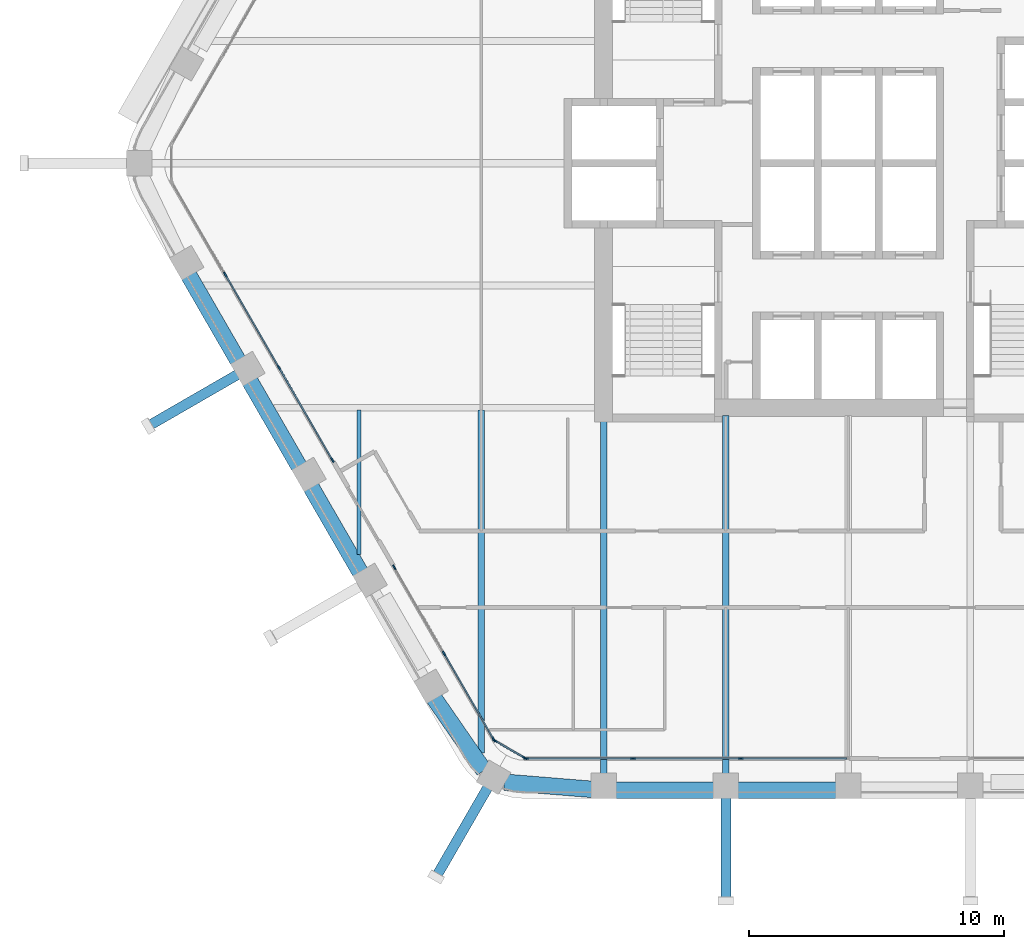
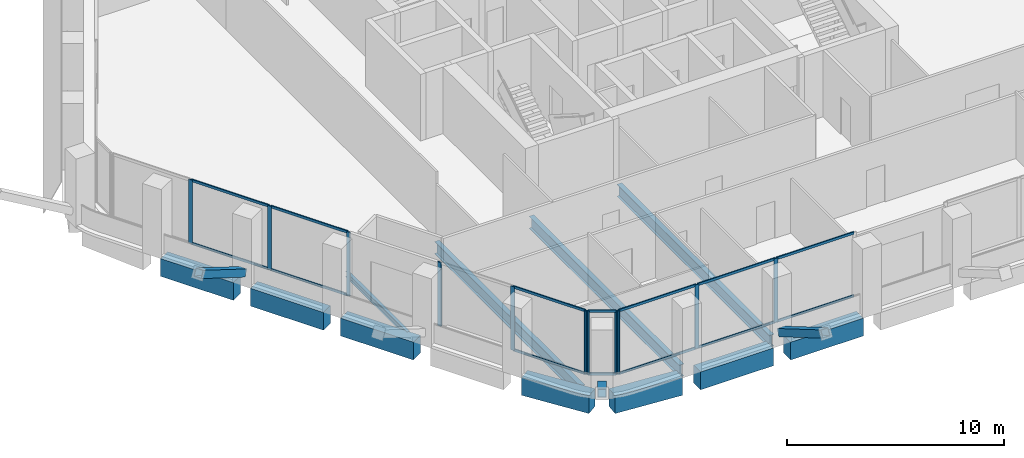
# One storey, part 2 of 16: 28 members, 11 beams, 4 elements without a shape of their own.
"""IFC4 building model written with IfcOpenShell, lengths in metres."""

import ifcopenshell
import ifcopenshell.guid

model = None  # the IFC model being written
_history = None  # IfcOwnerHistory: only IFC2X3 demands one
_inside = {}  # id of a spatial element -> (the spatial element, [elements in it])
_under = {}  # id of a project, library or spatial element -> (it, [spatial elements below it])
_declared = {}  # id of a project -> (the project, [libraries it declares])
_typed = {}  # id of a type object -> (the type object, [elements of that type])
_made_of = {}  # id of a material, layer set ... -> (it, [elements and type objects made of it])


def new_model(schema):
    """Start an empty IFC model of exactly this schema.

    Asked for "IFC4X3", IfcOpenShell would pick the latest addendum, in which some entities
    have other attributes; the version numbers below select the first issue.
    IFC2X3 requires an IfcOwnerHistory on every rooted entity: one is made here for all.
    """
    global model, _history
    if schema == "IFC4X3":
        model = ifcopenshell.file(schema_version=(4, 3, 0, 0))
    else:
        model = ifcopenshell.file(schema=schema)
    _inside.clear()
    _under.clear()
    _declared.clear()
    _typed.clear()
    _made_of.clear()
    _history = None
    if model.schema == "IFC2X3":
        org = make("IfcOrganization", Name="unknown")
        user = make(
            "IfcPersonAndOrganization",
            ThePerson=make("IfcPerson", FamilyName="unknown"),
            TheOrganization=org,
        )
        app = make(
            "IfcApplication",
            ApplicationDeveloper=org,
            Version="unknown",
            ApplicationFullName="unknown",
            ApplicationIdentifier="unknown",
        )
        _history = make(
            "IfcOwnerHistory",
            OwningUser=user,
            OwningApplication=app,
            ChangeAction="ADDED",
            CreationDate=0,
        )
    return model


def make(cls, **values):
    """One entity of the class cls with the attributes given. An attribute that is None is left unset."""
    return model.create_entity(
        cls, **{name: value for name, value in values.items() if value is not None}
    )


def rooted(cls, **values):
    """An entity with a GlobalId (a new one), such as an element, a storey or a relation."""
    return make(cls, GlobalId=ifcopenshell.guid.new(), OwnerHistory=_history, **values)


def si_unit(unit_type, name, prefix=None):
    """IfcSIUnit, for example si_unit("LENGTHUNIT", "METRE", prefix="MILLI")."""
    return make("IfcSIUnit", UnitType=unit_type, Prefix=prefix, Name=name)


def assignment(units):
    """IfcUnitAssignment: the units of a project."""
    return None if units is None else make("IfcUnitAssignment", Units=units)


def point(xyz):
    """IfcCartesianPoint."""
    return None if xyz is None else make("IfcCartesianPoint", Coordinates=xyz)


def direction(xyz):
    """IfcDirection."""
    return None if xyz is None else make("IfcDirection", DirectionRatios=xyz)


def frame(location, z_axis=None, x_axis=None):
    """IfcAxis2Placement3D, a coordinate frame: its origin and axes. An axis left out is left unset."""
    return make(
        "IfcAxis2Placement3D",
        Location=point(location),
        Axis=direction(z_axis),
        RefDirection=direction(x_axis),
    )


def frame_2d(location, x_axis=None):
    """IfcAxis2Placement2D, a coordinate frame in the plane: its origin and x axis."""
    return make(
        "IfcAxis2Placement2D", Location=point(location), RefDirection=direction(x_axis)
    )


def origin():
    """The frame at (0, 0, 0) with its axes left unset."""
    return frame((0.0, 0.0, 0.0))


def origin_2d():
    """The frame at (0, 0) in the plane with its x axis left unset."""
    return frame_2d((0.0, 0.0))


def place(relative_to, where):
    """IfcLocalPlacement: puts the frame where relative to a parent placement (None: the world)."""
    return make(
        "IfcLocalPlacement", PlacementRelTo=relative_to, RelativePlacement=where
    )


def context(
    kind, dimensions, precision=None, world=None, true_north=None, identifier=None
):
    """IfcGeometricRepresentationContext, for example the 3D "Model" context."""
    return make(
        "IfcGeometricRepresentationContext",
        ContextIdentifier=identifier,
        ContextType=kind,
        CoordinateSpaceDimension=dimensions,
        Precision=precision,
        WorldCoordinateSystem=world,
        TrueNorth=true_north,
    )


def subcontext(parent, identifier, kind, view, scale=None):
    """IfcGeometricRepresentationSubContext, for example "Body" below "Model"."""
    return make(
        "IfcGeometricRepresentationSubContext",
        ContextIdentifier=identifier,
        ContextType=kind,
        ParentContext=parent,
        TargetScale=scale,
        TargetView=view,
    )


def project(units=None, contexts=None):
    """IfcProject with its units and contexts."""
    return rooted(
        "IfcProject",
        Name="project",
        RepresentationContexts=contexts,
        UnitsInContext=assignment(units),
    )


def spatial(cls, under=None, at=None, **own):
    """A site, building, storey or space (cls), placed at a placement, below another one or the project."""
    s = rooted(cls, ObjectPlacement=at, **own)
    if under is not None:
        _under.setdefault(under.id(), (under, []))[1].append(s)
    return s


def profile(cls, at=None, kind="AREA", **sizes):
    """A parametric profile (cls). Its sizes go by their IFC names, for example OverallWidth=200.0."""
    return make(cls, ProfileType=kind, Position=at, **sizes)


def rectangle(**sizes):
    """IfcRectangleProfileDef."""
    return profile("IfcRectangleProfileDef", **sizes)


def hollow_rectangle(**sizes):
    """IfcRectangleHollowProfileDef."""
    return profile("IfcRectangleHollowProfileDef", **sizes)


def i_section(**sizes):
    """IfcIShapeProfileDef."""
    return profile("IfcIShapeProfileDef", **sizes)


def extrude(swept, where, along, depth):
    """IfcExtrudedAreaSolid: the profile swept, set in the frame where, extruded along a direction by depth."""
    return make(
        "IfcExtrudedAreaSolid",
        SweptArea=swept,
        Position=where,
        ExtrudedDirection=direction(along),
        Depth=depth,
    )


def shape(context_of_items, identifier, shape_type, items):
    """IfcShapeRepresentation: the items that make up one representation, for example the "Body"."""
    return make(
        "IfcShapeRepresentation",
        ContextOfItems=context_of_items,
        RepresentationIdentifier=identifier,
        RepresentationType=shape_type,
        Items=items,
    )


def material(Name=None, Category=None):
    """IfcMaterial."""
    return make("IfcMaterial", Name=Name, Category=Category)


def material_profile(
    of_material, cross_section, Name=None, Category=None, Priority=None
):
    """IfcMaterialProfile: a cross section and its material."""
    return make(
        "IfcMaterialProfile",
        Name=Name,
        Material=of_material,
        Profile=cross_section,
        Priority=Priority,
        Category=Category,
    )


def profile_set(profiles, Name=None, composite=None):
    """IfcMaterialProfileSet."""
    return make(
        "IfcMaterialProfileSet",
        Name=Name,
        MaterialProfiles=profiles,
        CompositeProfile=composite,
    )


def made_of(thing, what):
    """Note that an element or type object is made of a material, layer set ...; save() writes the relation."""
    if what is not None:
        _made_of.setdefault(what.id(), (what, []))[1].append(thing)
    return thing


def type_object(cls, material=None, **own):
    """A type object (cls), such as IfcWallType, which elements share."""
    return made_of(rooted(cls, **own), material)


def element(
    cls,
    number,
    at=None,
    inside=None,
    cuts=None,
    type_object=None,
    material=None,
    context=None,
    identifier="Body",
    shape_type=None,
    held_by="IfcProductDefinitionShape",
    body=None,
    shapes=None,
    **own,
):
    """One element of the class cls, such as IfcWall. Its Tag is "e" and its number.

    at: its placement. inside: the storey or other place that contains it. cuts: it is an
    opening in that element (IfcRelVoidsElement). A single representation is given by context,
    identifier, shape_type and body (its items); several are given by shapes. held_by: the class
    of the entity that holds the representations. save() writes the other relations.
    """
    e = rooted(cls, Tag="e%d" % number, ObjectPlacement=at, **own)
    if body is not None:
        shapes = [shape(context, identifier, shape_type, body)]
    if shapes is not None:
        e.Representation = make(held_by, Representations=shapes)
    if inside is not None:
        _inside.setdefault(inside.id(), (inside, []))[1].append(e)
    if cuts is not None:
        rooted(
            "IfcRelVoidsElement", RelatingBuildingElement=cuts, RelatedOpeningElement=e
        )
    if type_object is not None:
        _typed.setdefault(type_object.id(), (type_object, []))[1].append(e)
    return made_of(e, material)


def aggregate(whole, parts):
    """IfcRelAggregates: a whole, such as a stair, and the parts it consists of."""
    return rooted("IfcRelAggregates", RelatingObject=whole, RelatedObjects=parts)


def save(model, path):
    """Write the relations noted so far, then the file.

    IfcRelAggregates (storeys below a building ...), IfcRelContainedInSpatialStructure (elements
    in a storey), IfcRelDefinesByType, IfcRelAssociatesMaterial and IfcRelDeclares: one each for
    every whole, place, type object, material and project.
    """
    for whole, parts in _under.values():
        aggregate(whole, parts)
    for where, things in _inside.values():
        rooted(
            "IfcRelContainedInSpatialStructure",
            RelatedElements=things,
            RelatingStructure=where,
        )
    for kind, things in _typed.values():
        rooted("IfcRelDefinesByType", RelatedObjects=things, RelatingType=kind)
    for what, things in _made_of.values():
        rooted("IfcRelAssociatesMaterial", RelatedObjects=things, RelatingMaterial=what)
    for by, libraries in _declared.values():
        rooted("IfcRelDeclares", RelatingContext=by, RelatedDefinitions=libraries)
    model.write(path)


model = new_model("IFC4")

# Units and contexts
model_context = context("Model", 3, precision=1e-05, world=origin(), true_north=direction((0.0, 1.0)))
body_context = subcontext(model_context, "Body", "Model", "MODEL_VIEW")
ifc_project = project(units=[si_unit("LENGTHUNIT", "METRE"), si_unit("AREAUNIT", "SQUARE_METRE"), si_unit("VOLUMEUNIT", "CUBIC_METRE"), si_unit("PLANEANGLEUNIT", "RADIAN"), si_unit("MASSUNIT", "GRAM", prefix="KILO")], contexts=[model_context])

# Site, building, storey
site_placement = place(None, origin())
site = spatial("IfcSite", under=ifc_project, at=site_placement, CompositionType="ELEMENT")
building_placement = place(site_placement, origin())
building = spatial("IfcBuilding", under=site, at=building_placement, Name="Kolab Exchange Tower", CompositionType="ELEMENT")
storey_placement = place(building_placement, frame((0.0, 0.0, 209.0)))
storey = spatial("IfcBuildingStorey", under=building, at=storey_placement, Name="L45", CompositionType="ELEMENT", Elevation=209.0)

# Beams
ifc_material_1 = material(Name="Steel S355", Category="steel")
ifc_material_profile_1 = material_profile(ifc_material_1, i_section(OverallWidth=0.1650390625, OverallDepth=0.31005859375, WebThickness=0.005859375, FlangeThickness=0.009765625, at=origin_2d()), Name="W310X39")
ifc_profile_set_1 = profile_set([ifc_material_profile_1], Name="Steel S355")
beam_type_1 = type_object("IfcBeamType", Name="FLOOR BEAM W310X39", PredefinedType="BEAM", material=ifc_profile_set_1)
beam_1_placement = place(storey_placement, frame((-19.199951171875, -15.36767578125, -0.304931640625), z_axis=(0.0, 1.0, 0.0), x_axis=(-1.0, 0.0, 0.0)))
element("IfcBeam", 1, at=beam_1_placement, inside=storey, type_object=beam_type_1, Name="beam/L45/fr/003", PredefinedType="BEAM", context=body_context, shape_type="SweptSolid", body=[
    extrude(i_section(OverallWidth=0.1650390625, OverallDepth=0.31005859375, WebThickness=0.005859375, FlangeThickness=0.009765625, at=origin_2d()), origin(), (0.0, 0.0, 1.0), 5.674072265625),
])
ifc_material_profile_2 = material_profile(ifc_material_1, i_section(OverallWidth=0.25390625, OverallDepth=0.68408203125, WebThickness=0.012451171875, FlangeThickness=0.018798828125, at=origin_2d()), Name="W690X140")
ifc_profile_set_2 = profile_set([ifc_material_profile_2], Name="Steel S355")
beam_type_2 = type_object("IfcBeamType", Name="FLOOR BEAM W690X140", PredefinedType="BEAM", material=ifc_profile_set_2)
beam_2_placement = place(storey_placement, frame((-14.39990234375, -23.15576171875, -0.491943359375), z_axis=(0.0, 1.0, 0.0), x_axis=(-1.0, 0.0, 0.0)))
element("IfcBeam", 2, at=beam_2_placement, inside=storey, type_object=beam_type_2, Name="beam/L45/fr/005", PredefinedType="BEAM", context=body_context, shape_type="SweptSolid", body=[
    extrude(i_section(OverallWidth=0.25390625, OverallDepth=0.68408203125, WebThickness=0.012451171875, FlangeThickness=0.018798828125, at=origin_2d()), origin(), (0.0, 0.0, 1.0), 13.462158203125),
])
beam_3_placement = place(storey_placement, frame((-9.60009765625, -23.9814453125, -0.491943359375), z_axis=(0.0, 1.0, 0.0), x_axis=(-1.0, 0.0, 0.0)))
element("IfcBeam", 3, at=beam_3_placement, inside=storey, type_object=beam_type_2, Name="beam/L45/fr/007", PredefinedType="BEAM", context=body_context, shape_type="SweptSolid", body=[
    extrude(i_section(OverallWidth=0.25390625, OverallDepth=0.68408203125, WebThickness=0.012451171875, FlangeThickness=0.018798828125, at=origin_2d()), origin(), (0.0, 0.0, 1.0), 13.871337890625),
])
beam_4_placement = place(storey_placement, frame((-4.800048828125, -23.9814453125, -0.491943359375), z_axis=(0.0, 1.0, 0.0), x_axis=(-1.0, 0.0, 0.0)))
element("IfcBeam", 4, at=beam_4_placement, inside=storey, type_object=beam_type_2, Name="beam/L45/fr/009", PredefinedType="BEAM", context=body_context, shape_type="SweptSolid", body=[
    extrude(i_section(OverallWidth=0.25390625, OverallDepth=0.68408203125, WebThickness=0.012451171875, FlangeThickness=0.018798828125, at=origin_2d()), origin(), (0.0, 0.0, 1.0), 14.071533203125),
])

# Members
ifc_material_profile_3 = material_profile(ifc_material_1, hollow_rectangle(XDim=0.39990234375, YDim=0.39990234375, WallThickness=0.02001953125, at=origin_2d()), Name="HSS400X400X20")
ifc_profile_set_3 = profile_set([ifc_material_profile_3], Name="Steel S355")
member_type_1 = type_object("IfcMemberType", Name="LEDGE STRUT HSS400X400X20", PredefinedType="STRUT", material=ifc_profile_set_3)
member_1_placement = place(storey_placement, frame((-4.800048828125, -24.901611328125, 0.60009765625), z_axis=(0.0, -0.862719931648, 0.505682034027), x_axis=(1.0, 0.0, 0.0)))
element("IfcMember", 5, at=member_1_placement, inside=storey, type_object=member_type_1, Name="mem/L45/ledge/strut-2", PredefinedType="STRUT", context=body_context, shape_type="SweptSolid", body=[
    extrude(hollow_rectangle(XDim=0.39990234375, YDim=0.39990234375, WallThickness=0.02001953125, at=origin_2d()), origin(), (0.0, 0.0, 1.0), 4.6826171875),
])
for number, where, z_axis, x_axis, name in (
    (6, (-14.14794921875, -24.5048828125, 0.60009765625), (-0.431366436313, -0.74714919009, 0.505659060406), (0.866025579307, -0.499999695987, 0.0), "mem/L45/ledge/strut-3"),
    (7, (-23.96533203125, -8.293701171875, 0.60009765625), (-0.74714919009, -0.431366436313, 0.505659060406), (0.499999695987, -0.866025579307, 0.0), "mem/L45/ledge/strut-5"),
):
    element("IfcMember", number, at=place(storey_placement, frame(where, z_axis=z_axis, x_axis=x_axis)), inside=storey, type_object=member_type_1, Name=name, PredefinedType="STRUT", context=body_context, shape_type="SweptSolid", body=[
        extrude(hollow_rectangle(XDim=0.39990234375, YDim=0.39990234375, WallThickness=0.02001953125, at=origin_2d()), origin(), (0.0, 0.0, 1.0), 4.682861328125),
    ])

# Beams
ifc_material_2 = material(Name="Concrete C60/75", Category="concrete")
ifc_material_profile_4 = material_profile(ifc_material_2, rectangle(XDim=0.64990234375, YDim=1.0, at=origin_2d()), Name="RC650X1000")
ifc_profile_set_4 = profile_set([ifc_material_profile_4], Name="Concrete C60/75")
beam_type_3 = type_object("IfcBeamType", Name="SPANDREL BEAM 650X1000 C60/75", PredefinedType="BEAM", material=ifc_profile_set_4)
beam_5_placement = place(storey_placement, frame((-0.4599609375, -24.616455078125, -0.64990234375), z_axis=(-1.0, 0.0, 0.0), x_axis=(0.0, -1.0, 0.0)))
element("IfcBeam", 8, at=beam_5_placement, inside=storey, type_object=beam_type_3, Name="beam/L45/sp/F4-04", PredefinedType="BEAM", context=body_context, shape_type="SweptSolid", body=[
    extrude(rectangle(XDim=0.64990234375, YDim=1.0, at=origin_2d()), origin(), (0.0, 0.0, 1.0), 3.880126953125),
])
beam_6_placement = place(storey_placement, frame((-5.260009765625, -24.616455078125, -0.64990234375), z_axis=(-1.0, 0.0, 0.0), x_axis=(0.0, -1.0, 0.0)))
element("IfcBeam", 9, at=beam_6_placement, inside=storey, type_object=beam_type_3, Name="beam/L45/sp/F4-05", PredefinedType="BEAM", context=body_context, shape_type="SweptSolid", body=[
    extrude(rectangle(XDim=0.64990234375, YDim=1.0, at=origin_2d()), origin(), (0.0, 0.0, 1.0), 3.8798828125),
])
for number, where, z_axis, x_axis, name in (
    (10, (-10.06005859375, -24.5791015625, -0.64990234375), (-0.996708497182, 0.081068931445, 0.0), (-0.081068931445, -0.996708497182, 0.0), "beam/L45/sp/F4-06"),
    (11, (-14.29736328125, -23.8359375, -0.64990234375), (-0.568572281073, 0.822633309073, 0.0), (-0.822633309073, -0.568572281073, 0.0), "beam/L45/sp/F5-01"),
):
    element("IfcBeam", number, at=place(storey_placement, frame(where, z_axis=z_axis, x_axis=x_axis)), inside=storey, type_object=beam_type_3, Name=name, PredefinedType="BEAM", context=body_context, shape_type="SweptSolid", body=[
        extrude(rectangle(XDim=0.64990234375, YDim=1.0, at=origin_2d()), origin(), (0.0, 0.0, 1.0), 3.445068359375),
    ])
beam_7_placement = place(storey_placement, frame((-19.1484375, -16.06689453125, -0.64990234375), z_axis=(-0.50001655835, 0.866015843605, 0.0), x_axis=(-0.866015843605, -0.50001655835, 0.0)))
element("IfcBeam", 12, at=beam_7_placement, inside=storey, type_object=beam_type_3, Name="beam/L45/sp/F5-03", PredefinedType="BEAM", context=body_context, shape_type="SweptSolid", body=[
    extrude(rectangle(XDim=0.64990234375, YDim=1.0, at=origin_2d()), origin(), (0.0, 0.0, 1.0), 3.880126953125),
])
for number, where, z_axis, x_axis, name in (
    (13, (-21.548583984375, -11.909912109375, -0.64990234375), (-0.499996613652, 0.866027358884, 0.0), (-0.866027358884, -0.499996613652, 0.0), "beam/L45/sp/F5-04"),
    (14, (-23.948486328125, -7.7529296875, -0.64990234375), (-0.499996613652, 0.866027358884, 0.0), (-0.866027358884, -0.499996613652, 0.0), "beam/L45/sp/F5-05"),
):
    element("IfcBeam", number, at=place(storey_placement, frame(where, z_axis=z_axis, x_axis=x_axis)), inside=storey, type_object=beam_type_3, Name=name, PredefinedType="BEAM", context=body_context, shape_type="SweptSolid", body=[
        extrude(rectangle(XDim=0.64990234375, YDim=1.0, at=origin_2d()), origin(), (0.0, 0.0, 1.0), 3.8798828125),
    ])

# Curtain wall, members
ifc_material_3 = material(Name="Aluminium EN AW-6063 T6", Category="aluminium")
curtain_wall_type = type_object("IfcCurtainWallType", Name="UNITISED UPPER MID ZONE CURTAIN WALL", PredefinedType="NOTDEFINED", material=ifc_material_3)
curtain_wall_1_placement = place(storey_placement, origin())
curtain_wall_1 = element("IfcCurtainWall", 15, at=curtain_wall_1_placement, inside=storey, type_object=curtain_wall_type, Name="cw/L45/F4-2", PredefinedType="NOTDEFINED")
ifc_material_profile_5 = material_profile(ifc_material_3, rectangle(XDim=0.06005859375, YDim=0.199951171875, at=origin_2d()), Name="RECT 60X200")
ifc_profile_set_5 = profile_set([ifc_material_profile_5], Name="Aluminium EN AW-6063 T6")
member_type_2 = type_object("IfcMemberType", Name="UNITISED UPPER MID ZONE MULLION 60 X 200", PredefinedType="MULLION", material=ifc_profile_set_5)
member_2_placement = place(storey_placement, frame((-4.22265625, -23.361572265625, 0.0), z_axis=(0.0, 0.0, 1.0), x_axis=(0.0, -1.0, 0.0)))
member_2 = element("IfcMember", 16, at=member_2_placement, type_object=member_type_2, Name="CW3 mullion 2", PredefinedType="MULLION", context=body_context, shape_type="SweptSolid", body=[
    extrude(rectangle(XDim=0.06005859375, YDim=0.199951171875, at=origin_2d()), origin(), (0.0, 0.0, 1.0), 3.60009765625),
])
member_3_placement = place(storey_placement, frame((-8.4453125, -23.361572265625, 0.0), z_axis=(0.0, 0.0, 1.0), x_axis=(0.0, -1.0, 0.0)))
member_3 = element("IfcMember", 17, at=member_3_placement, type_object=member_type_2, Name="CW3 mullion 3", PredefinedType="MULLION", context=body_context, shape_type="SweptSolid", body=[
    extrude(rectangle(XDim=0.06005859375, YDim=0.199951171875, at=origin_2d()), origin(), (0.0, 0.0, 1.0), 3.60009765625),
])
member_4_placement = place(storey_placement, frame((-12.637939453125, -23.361572265625, 0.0), z_axis=(0.0, 0.0, 1.0), x_axis=(0.0, -1.0, 0.0)))
member_4 = element("IfcMember", 18, at=member_4_placement, type_object=member_type_2, Name="CW3 mullion 4", PredefinedType="MULLION", context=body_context, shape_type="SweptSolid", body=[
    extrude(rectangle(XDim=0.06005859375, YDim=0.199951171875, at=origin_2d()), origin(), (0.0, 0.0, 1.0), 3.60009765625),
])

curtain_wall_2_placement = place(storey_placement, origin())
curtain_wall_2 = element("IfcCurtainWall", 19, at=curtain_wall_2_placement, inside=storey, type_object=curtain_wall_type, Name="cw/L45/F5-1", PredefinedType="NOTDEFINED")
member_5_placement = place(storey_placement, frame((-13.91259765625, -22.62548828125, 0.0), z_axis=(0.0, 0.0, 1.0), x_axis=(-0.866025385493, -0.500000031681, 0.0)))
member_5 = element("IfcMember", 20, at=member_5_placement, type_object=member_type_2, Name="CW3 mullion 1", PredefinedType="MULLION", context=body_context, shape_type="SweptSolid", body=[
    extrude(rectangle(XDim=0.06005859375, YDim=0.199951171875, at=origin_2d()), origin(), (0.0, 0.0, 1.0), 3.60009765625),
])
member_6_placement = place(storey_placement, frame((-15.86474609375, -19.24462890625, 0.0), z_axis=(0.0, 0.0, 1.0), x_axis=(-0.866025385493, -0.500000031681, 0.0)))
member_6 = element("IfcMember", 21, at=member_6_placement, type_object=member_type_2, Name="CW3 mullion 2", PredefinedType="MULLION", context=body_context, shape_type="SweptSolid", body=[
    extrude(rectangle(XDim=0.06005859375, YDim=0.199951171875, at=origin_2d()), origin(), (0.0, 0.0, 1.0), 3.60009765625),
])
member_7_placement = place(storey_placement, frame((-17.816650390625, -15.86376953125, 0.0), z_axis=(0.0, 0.0, 1.0), x_axis=(-0.866025385493, -0.500000031681, 0.0)))
member_7 = element("IfcMember", 22, at=member_7_placement, type_object=member_type_2, Name="CW3 mullion 3", PredefinedType="MULLION", context=body_context, shape_type="SweptSolid", body=[
    extrude(rectangle(XDim=0.06005859375, YDim=0.199951171875, at=origin_2d()), origin(), (0.0, 0.0, 1.0), 3.60009765625),
])

curtain_wall_3_placement = place(storey_placement, origin())
curtain_wall_3 = element("IfcCurtainWall", 23, at=curtain_wall_3_placement, inside=storey, type_object=curtain_wall_type, Name="cw/L45/F5-2", PredefinedType="NOTDEFINED")
member_8_placement = place(storey_placement, frame((-20.24658203125, -11.65478515625, 0.0), z_axis=(0.0, 0.0, 1.0), x_axis=(-0.866025427826, -0.499999958358, 0.0)))
member_8 = element("IfcMember", 24, at=member_8_placement, type_object=member_type_2, Name="CW3 mullion 1", PredefinedType="MULLION", context=body_context, shape_type="SweptSolid", body=[
    extrude(rectangle(XDim=0.06005859375, YDim=0.199951171875, at=origin_2d()), origin(), (0.0, 0.0, 1.0), 3.60009765625),
])
member_9_placement = place(storey_placement, frame((-22.343017578125, -8.02392578125, 0.0), z_axis=(0.0, 0.0, 1.0), x_axis=(-0.866025427826, -0.499999958358, 0.0)))
member_9 = element("IfcMember", 25, at=member_9_placement, type_object=member_type_2, Name="CW3 mullion 2", PredefinedType="MULLION", context=body_context, shape_type="SweptSolid", body=[
    extrude(rectangle(XDim=0.06005859375, YDim=0.199951171875, at=origin_2d()), origin(), (0.0, 0.0, 1.0), 3.60009765625),
])
member_10_placement = place(storey_placement, frame((-24.454345703125, -4.366943359375, 0.0), z_axis=(0.0, 0.0, 1.0), x_axis=(-0.866025427826, -0.499999958358, 0.0)))
member_10 = element("IfcMember", 26, at=member_10_placement, type_object=member_type_2, Name="CW3 mullion 3", PredefinedType="MULLION", context=body_context, shape_type="SweptSolid", body=[
    extrude(rectangle(XDim=0.06005859375, YDim=0.199951171875, at=origin_2d()), origin(), (0.0, 0.0, 1.0), 3.60009765625),
])

curtain_wall_4_placement = place(storey_placement, origin())
curtain_wall_4 = element("IfcCurtainWall", 27, at=curtain_wall_4_placement, inside=storey, type_object=curtain_wall_type, Name="cw/L45/F4F5-corner", PredefinedType="NOTDEFINED")
member_11_placement = place(storey_placement, frame((-12.69384765625, -23.346435546875, 0.0), z_axis=(0.0, 0.0, 1.0), x_axis=(-0.50000002237, -0.866025390869, 0.0)))
member_11 = element("IfcMember", 28, at=member_11_placement, type_object=member_type_2, Name="CW3 mullion 1", PredefinedType="MULLION", context=body_context, shape_type="SweptSolid", body=[
    extrude(rectangle(XDim=0.06005859375, YDim=0.199951171875, at=origin_2d()), origin(), (0.0, 0.0, 1.0), 3.60009765625),
])
member_12_placement = place(storey_placement, frame((-13.871826171875, -22.66650390625, 0.0), z_axis=(0.0, 0.0, 1.0), x_axis=(-0.50000002237, -0.866025390869, 0.0)))
member_12 = element("IfcMember", 29, at=member_12_placement, type_object=member_type_2, Name="CW3 mullion 2", PredefinedType="MULLION", context=body_context, shape_type="SweptSolid", body=[
    extrude(rectangle(XDim=0.06005859375, YDim=0.199951171875, at=origin_2d()), origin(), (0.0, 0.0, 1.0), 3.60009765625),
])

# Member
ifc_material_profile_6 = material_profile(ifc_material_3, rectangle(XDim=0.06005859375, YDim=0.139892578125, at=origin_2d()), Name="RECT 60X140")
ifc_profile_set_6 = profile_set([ifc_material_profile_6], Name="Aluminium EN AW-6063 T6")
member_type_3 = type_object("IfcMemberType", Name="UNITISED UPPER MID ZONE TRANSOM 60 X 140", PredefinedType="USERDEFINED", material=ifc_profile_set_6)
member_13_placement = place(storey_placement, frame((-0.06005859375, -23.361572265625, 0.030029296875), z_axis=(-1.0, 0.0, 0.0), x_axis=(0.0, -1.0, 0.0)))
member_13 = element("IfcMember", 30, at=member_13_placement, type_object=member_type_3, Name="CW3 transom 1.1", ObjectType="TRANSOM", PredefinedType="USERDEFINED", context=body_context, shape_type="SweptSolid", body=[
    extrude(rectangle(XDim=0.06005859375, YDim=0.139892578125, at=origin_2d()), origin(), (0.0, 0.0, 1.0), 4.132568359375),
])

member_14_placement = place(storey_placement, frame((-0.06005859375, -23.361572265625, 3.570068359375), z_axis=(-1.0, 0.0, 0.0), x_axis=(0.0, -1.0, 0.0)))
member_14 = element("IfcMember", 31, at=member_14_placement, type_object=member_type_3, Name="CW3 transom 1.2", ObjectType="TRANSOM", PredefinedType="USERDEFINED", context=body_context, shape_type="SweptSolid", body=[
    extrude(rectangle(XDim=0.06005859375, YDim=0.139892578125, at=origin_2d()), origin(), (0.0, 0.0, 1.0), 4.132568359375),
])

member_15_placement = place(storey_placement, frame((-4.252685546875, -23.361572265625, 0.030029296875), z_axis=(-1.0, 0.0, 0.0), x_axis=(0.0, -1.0, 0.0)))
member_15 = element("IfcMember", 32, at=member_15_placement, type_object=member_type_3, Name="CW3 transom 2.1", ObjectType="TRANSOM", PredefinedType="USERDEFINED", context=body_context, shape_type="SweptSolid", body=[
    extrude(rectangle(XDim=0.06005859375, YDim=0.139892578125, at=origin_2d()), origin(), (0.0, 0.0, 1.0), 4.16259765625),
])

member_16_placement = place(storey_placement, frame((-4.252685546875, -23.361572265625, 3.570068359375), z_axis=(-1.0, 0.0, 0.0), x_axis=(0.0, -1.0, 0.0)))
member_16 = element("IfcMember", 33, at=member_16_placement, type_object=member_type_3, Name="CW3 transom 2.2", ObjectType="TRANSOM", PredefinedType="USERDEFINED", context=body_context, shape_type="SweptSolid", body=[
    extrude(rectangle(XDim=0.06005859375, YDim=0.139892578125, at=origin_2d()), origin(), (0.0, 0.0, 1.0), 4.16259765625),
])

member_17_placement = place(storey_placement, frame((-8.475341796875, -23.361572265625, 0.030029296875), z_axis=(-1.0, 0.0, 0.0), x_axis=(0.0, -1.0, 0.0)))
member_17 = element("IfcMember", 34, at=member_17_placement, type_object=member_type_3, Name="CW3 transom 3.1", ObjectType="TRANSOM", PredefinedType="USERDEFINED", context=body_context, shape_type="SweptSolid", body=[
    extrude(rectangle(XDim=0.06005859375, YDim=0.139892578125, at=origin_2d()), origin(), (0.0, 0.0, 1.0), 4.132568359375),
])

member_18_placement = place(storey_placement, frame((-8.475341796875, -23.361572265625, 3.570068359375), z_axis=(-1.0, 0.0, 0.0), x_axis=(0.0, -1.0, 0.0)))
member_18 = element("IfcMember", 35, at=member_18_placement, type_object=member_type_3, Name="CW3 transom 3.2", ObjectType="TRANSOM", PredefinedType="USERDEFINED", context=body_context, shape_type="SweptSolid", body=[
    extrude(rectangle(XDim=0.06005859375, YDim=0.139892578125, at=origin_2d()), origin(), (0.0, 0.0, 1.0), 4.132568359375),
])

aggregate(curtain_wall_1, [member_2, member_3, member_4, member_13, member_14, member_15, member_16, member_17, member_18])

member_19_placement = place(storey_placement, frame((-13.927734375, -22.599609375, 0.030029296875), z_axis=(-0.499964356602, 0.866045981532, 0.0), x_axis=(-0.866045981532, -0.499964356602, 0.0)))
member_19 = element("IfcMember", 36, at=member_19_placement, type_object=member_type_3, Name="CW3 transom 1.1", ObjectType="TRANSOM", PredefinedType="USERDEFINED", context=body_context, shape_type="SweptSolid", body=[
    extrude(rectangle(XDim=0.06005859375, YDim=0.139892578125, at=origin_2d()), origin(), (0.0, 0.0, 1.0), 3.843994140625),
])

member_20_placement = place(storey_placement, frame((-13.927734375, -22.599609375, 3.570068359375), z_axis=(-0.499964356602, 0.866045981532, 0.0), x_axis=(-0.866045981532, -0.499964356602, 0.0)))
member_20 = element("IfcMember", 37, at=member_20_placement, type_object=member_type_3, Name="CW3 transom 1.2", ObjectType="TRANSOM", PredefinedType="USERDEFINED", context=body_context, shape_type="SweptSolid", body=[
    extrude(rectangle(XDim=0.06005859375, YDim=0.139892578125, at=origin_2d()), origin(), (0.0, 0.0, 1.0), 3.843994140625),
])

aggregate(curtain_wall_2, [member_5, member_6, member_7, member_19, member_20])

member_21_placement = place(storey_placement, frame((-20.26171875, -11.62890625, 0.030029296875), z_axis=(-0.500001996123, 0.866024251319, 0.0), x_axis=(-0.866024251319, -0.500001996123, 0.0)))
member_21 = element("IfcMember", 38, at=member_21_placement, type_object=member_type_3, Name="CW3 transom 1.1", ObjectType="TRANSOM", PredefinedType="USERDEFINED", context=body_context, shape_type="SweptSolid", body=[
    extrude(rectangle(XDim=0.06005859375, YDim=0.139892578125, at=origin_2d()), origin(), (0.0, 0.0, 1.0), 4.1328125),
])

member_22_placement = place(storey_placement, frame((-20.26171875, -11.62890625, 3.570068359375), z_axis=(-0.500001996123, 0.866024251319, 0.0), x_axis=(-0.866024251319, -0.500001996123, 0.0)))
member_22 = element("IfcMember", 39, at=member_22_placement, type_object=member_type_3, Name="CW3 transom 1.2", ObjectType="TRANSOM", PredefinedType="USERDEFINED", context=body_context, shape_type="SweptSolid", body=[
    extrude(rectangle(XDim=0.06005859375, YDim=0.139892578125, at=origin_2d()), origin(), (0.0, 0.0, 1.0), 4.1328125),
])

member_23_placement = place(storey_placement, frame((-22.35791015625, -7.997802734375, 0.030029296875), z_axis=(-0.49999322259, 0.866029316688, 0.0), x_axis=(-0.866029316688, -0.49999322259, 0.0)))
member_23 = element("IfcMember", 40, at=member_23_placement, type_object=member_type_3, Name="CW3 transom 2.1", ObjectType="TRANSOM", PredefinedType="USERDEFINED", context=body_context, shape_type="SweptSolid", body=[
    extrude(rectangle(XDim=0.06005859375, YDim=0.139892578125, at=origin_2d()), origin(), (0.0, 0.0, 1.0), 4.16259765625),
])

member_24_placement = place(storey_placement, frame((-22.35791015625, -7.997802734375, 3.570068359375), z_axis=(-0.49999322259, 0.866029316688, 0.0), x_axis=(-0.866029316688, -0.49999322259, 0.0)))
member_24 = element("IfcMember", 41, at=member_24_placement, type_object=member_type_3, Name="CW3 transom 2.2", ObjectType="TRANSOM", PredefinedType="USERDEFINED", context=body_context, shape_type="SweptSolid", body=[
    extrude(rectangle(XDim=0.06005859375, YDim=0.139892578125, at=origin_2d()), origin(), (0.0, 0.0, 1.0), 4.16259765625),
])

aggregate(curtain_wall_3, [member_8, member_9, member_10, member_21, member_22, member_23, member_24])

member_25_placement = place(storey_placement, frame((-12.719970703125, -23.33154296875, 0.030029296875), z_axis=(-0.86603858612, 0.49997716683, 0.0), x_axis=(-0.49997716683, -0.86603858612, 0.0)))
member_25 = element("IfcMember", 42, at=member_25_placement, type_object=member_type_3, Name="CW3 transom 1.1", ObjectType="TRANSOM", PredefinedType="USERDEFINED", context=body_context, shape_type="SweptSolid", body=[
    extrude(rectangle(XDim=0.06005859375, YDim=0.139892578125, at=origin_2d()), origin(), (0.0, 0.0, 1.0), 1.2998046875),
])

member_26_placement = place(storey_placement, frame((-12.719970703125, -23.33154296875, 3.570068359375), z_axis=(-0.86603858612, 0.49997716683, 0.0), x_axis=(-0.49997716683, -0.86603858612, 0.0)))
member_26 = element("IfcMember", 43, at=member_26_placement, type_object=member_type_3, Name="CW3 transom 1.2", ObjectType="TRANSOM", PredefinedType="USERDEFINED", context=body_context, shape_type="SweptSolid", body=[
    extrude(rectangle(XDim=0.06005859375, YDim=0.139892578125, at=origin_2d()), origin(), (0.0, 0.0, 1.0), 1.2998046875),
])

aggregate(curtain_wall_4, [member_11, member_12, member_25, member_26])

save(model, "model.ifc")
